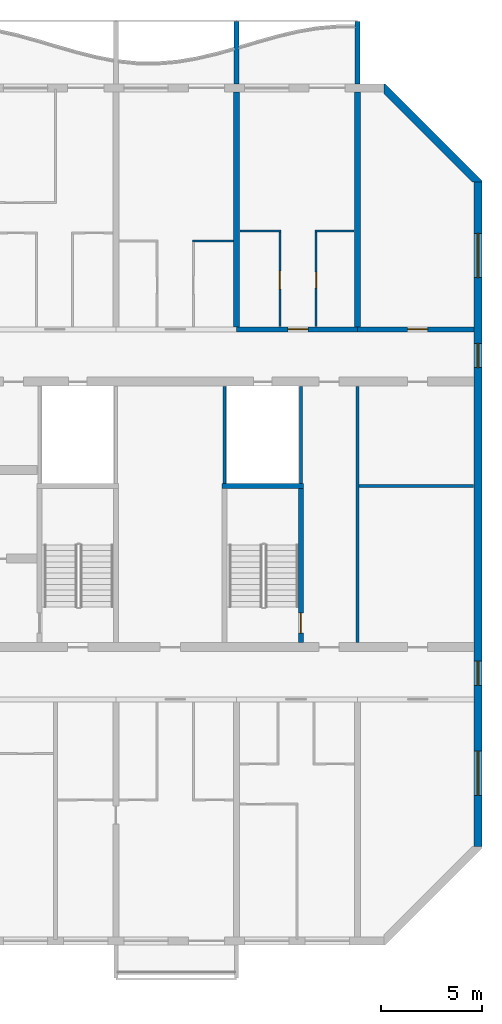
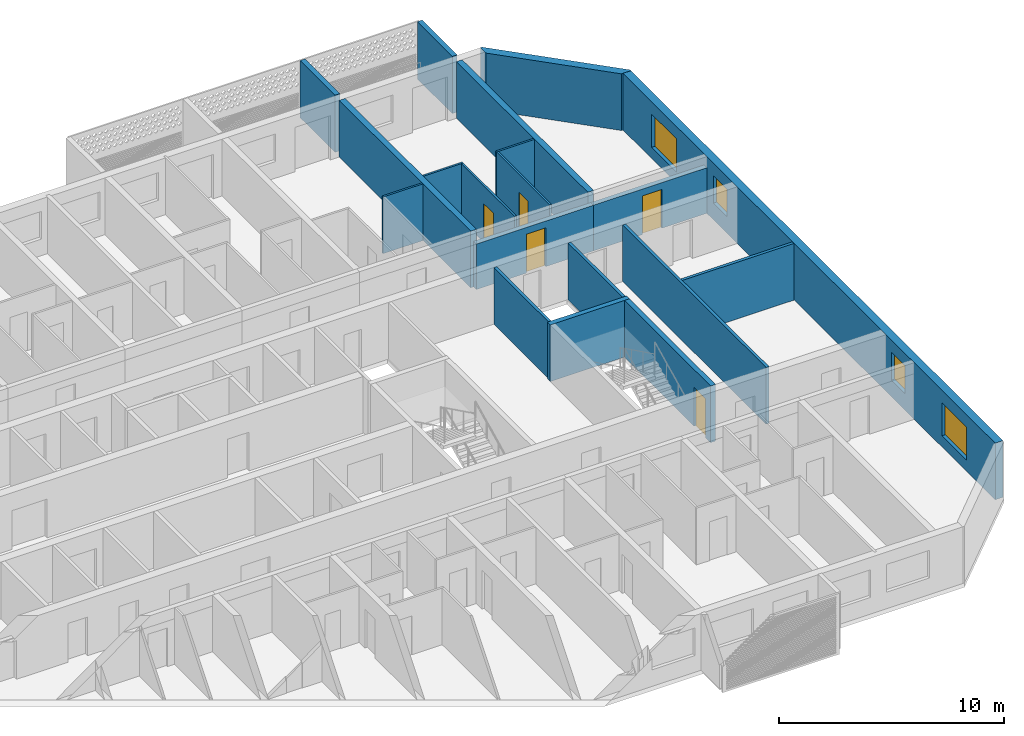
# One storey, part 13 of 33: 19 walls, 5 doors, 4 windows, 9 openings.
"""IFC4 building model written with IfcOpenShell, lengths in metres."""

from ifc_helpers import new_model, si_unit, direction, frame, frame_2d, origin, place, context, subcontext, project, spatial, polyline, rectangle, outline, extrude, source, transform, mapped, material, layer, layer_set, type_object, element, fill, save


model = new_model("IFC4")

# Units and contexts
model_context = context("Model", 3, precision=1e-05, world=origin(), true_north=direction((0.0, 1.0)))
body_context = subcontext(model_context, "Body", "Model", "MODEL_VIEW")
ifc_project = project(units=[si_unit("LENGTHUNIT", "METRE"), si_unit("AREAUNIT", "SQUARE_METRE"), si_unit("VOLUMEUNIT", "CUBIC_METRE"), si_unit("PLANEANGLEUNIT", "RADIAN"), si_unit("MASSUNIT", "GRAM", prefix="KILO")], contexts=[model_context])

# Site, building, storey
site_placement = place(None, origin())
site = spatial("IfcSite", under=ifc_project, at=site_placement, CompositionType="ELEMENT")
building_placement = place(site_placement, origin())
building = spatial("IfcBuilding", under=site, at=building_placement, Name="Poui Terraces", CompositionType="ELEMENT")
storey_placement = place(building_placement, frame((0.0, 0.0, 138.89990234375)))
storey = spatial("IfcBuildingStorey", under=building, at=storey_placement, Name="L38", CompositionType="ELEMENT", Elevation=138.89990234375)

# Wall
ifc_material_1 = material(Name="Fire-rated plasterboard wall")
ifc_layer_1 = layer(ifc_material_1, 0.14990234375)
ifc_layer_set_1 = layer_set([ifc_layer_1], Name="Fire-rated plasterboard wall")
wall_type_1 = type_object("IfcWallType", Name="CORRIDOR WALL 150", PredefinedType="PARTITIONING", material=ifc_layer_set_1)
wall_1_placement = place(storey_placement, frame((84.0, 14.8349609375, 0.0), z_axis=(0.0, 0.0, 1.0), x_axis=(0.0, 1.0, 0.0)))
element("IfcWall", 1, at=wall_1_placement, inside=storey, type_object=wall_type_1, Name="CORRIDOR WALL 150", PredefinedType="PARTITIONING", context=body_context, shape_type="SweptSolid", body=[
    extrude(rectangle(XDim=12.72998046875, YDim=0.14990234375, at=frame_2d((6.364990234375, 0.0))), origin(), (0.0, 0.0, 1.0), 3.070068359375),
])

# Wall, opening, door
ifc_material_2 = material(Name="Concrete 65 MPa", Category="concrete")
ifc_layer_2 = layer(ifc_material_2, 0.25)
ifc_layer_set_2 = layer_set([ifc_layer_2], Name="Concrete 65 MPa")
wall_type_2 = type_object("IfcWallType", Name="CORRIDOR WALL 250 65MPa", PredefinedType="SHEAR", material=ifc_layer_set_2)
wall_2_placement = place(storey_placement, frame((78.0, 30.39990234375, 0.0), z_axis=(0.0, 0.0, 1.0), x_axis=(1.0, 0.0, 0.0)))
wall_2 = element("IfcWall", 2, at=wall_2_placement, inside=storey, type_object=wall_type_2, Name="CORRIDOR WALL LINE E BAY 12", PredefinedType="SHEAR", context=body_context, shape_type="SweptSolid", body=[
    extrude(rectangle(XDim=6.0, YDim=0.25, at=frame_2d((3.0, 0.0))), origin(), (0.0, 0.0, 1.0), 2.47021484375),
])
opening_1_placement = place(wall_2_placement, frame((2.550048828125, 0.0, 0.0)))
opening_1 = element("IfcOpeningElement", 3, at=opening_1_placement, cuts=wall_2, Name="Opening FD30S", PredefinedType="OPENING", context=body_context, shape_type="SweptSolid", body=[
    extrude(rectangle(XDim=1.0, YDim=2.10009765625, at=frame_2d((0.5, 1.050048828125))), frame((0.0, 0.135009765625, 0.0), z_axis=(0.0, -1.0, 0.0), x_axis=(1.0, 0.0, 0.0)), (0.0, 0.0, 1.0), 0.27001953125),
])
ifc_material_3 = material(Name="Steel fire door", Category="steel")
door_type_1 = type_object("IfcDoorType", Name="FLAT ENTRANCE DOOR 1000 X 2100", OperationType="NOTDEFINED", PredefinedType="DOOR", material=ifc_material_3)
door_1_placement = place(opening_1_placement, origin())
door_1 = element("IfcDoor", 4, at=door_1_placement, inside=storey, type_object=door_type_1, Name="FLAT ENTRANCE DOOR 071", OperationType="SINGLE_SWING_RIGHT", OverallHeight=2.10009765625, OverallWidth=1.0, PredefinedType="DOOR", context=body_context, shape_type="SweptSolid", body=[
    extrude(rectangle(XDim=1.0, YDim=2.10009765625, at=frame_2d((0.5, 1.050048828125))), frame((0.0, 0.02490234375, 0.0), z_axis=(0.0, -1.0, 0.0), x_axis=(1.0, 0.0, 0.0)), (0.0, 0.0, 1.0), 0.050048828125),
])
fill(opening_1, door_1)

wall_3_placement = place(storey_placement, frame((84.0, 30.39990234375, 0.0), z_axis=(0.0, 0.0, 1.0), x_axis=(1.0, 0.0, 0.0)))
wall_3 = element("IfcWall", 5, at=wall_3_placement, inside=storey, type_object=wall_type_2, Name="CORRIDOR WALL LINE E BAY 13", PredefinedType="SHEAR", context=body_context, shape_type="SweptSolid", body=[
    extrude(rectangle(XDim=5.800048828125, YDim=0.25, at=frame_2d((2.89990234375, 0.0))), origin(), (0.0, 0.0, 1.0), 2.47021484375),
])
opening_2_placement = place(wall_3_placement, frame((2.5, 0.0, 0.0)))
opening_2 = element("IfcOpeningElement", 6, at=opening_2_placement, cuts=wall_3, Name="Opening D100", PredefinedType="OPENING", context=body_context, shape_type="SweptSolid", body=[
    extrude(rectangle(XDim=1.0, YDim=2.10009765625, at=frame_2d((0.5, 1.050048828125))), frame((0.0, 0.135009765625, 0.0), z_axis=(0.0, -1.0, 0.0), x_axis=(1.0, 0.0, 0.0)), (0.0, 0.0, 1.0), 0.27001953125),
])
ifc_material_4 = material(Name="Solid core timber door", Category="wood")
door_type_2 = type_object("IfcDoorType", Name="ACCESSIBLE INTERNAL DOOR 1000 X 2100", OperationType="NOTDEFINED", PredefinedType="DOOR", material=ifc_material_4)
door_2_placement = place(opening_2_placement, origin())
door_2 = element("IfcDoor", 7, at=door_2_placement, inside=storey, type_object=door_type_2, Name="ACCESSIBLE INTERNAL DOOR 073", OperationType="SINGLE_SWING_LEFT", OverallHeight=2.10009765625, OverallWidth=1.0, PredefinedType="DOOR", context=body_context, shape_type="SweptSolid", body=[
    extrude(rectangle(XDim=1.0, YDim=2.10009765625, at=frame_2d((0.5, 1.050048828125))), frame((0.0, 0.02490234375, 0.0), z_axis=(0.0, -1.0, 0.0), x_axis=(1.0, 0.0, 0.0)), (0.0, 0.0, 1.0), 0.050048828125),
])
fill(opening_2, door_2)

# Walls
ifc_layer_3 = layer(ifc_material_2, 0.300048828125)
ifc_layer_set_3 = layer_set([ifc_layer_3], Name="Concrete 65 MPa")
wall_type_3 = type_object("IfcWallType", Name="CROSS WALL 300 65MPa", PredefinedType="SHEAR", material=ifc_layer_set_3)
for number, where, z_axis, x_axis, name in (
    (8, (78.0, 30.52490234375, 0.0), (0.0, 0.0, 1.0), (0.0, 1.0, 0.0), "CROSS WALL LINE 14 NORTH"),
    (9, (84.0, 30.52490234375, 0.0), (0.0, 0.0, 1.0), (0.0, 1.0, 0.0), "CROSS WALL LINE 15 NORTH"),
):
    element("IfcWall", number, at=place(storey_placement, frame(where, z_axis=z_axis, x_axis=x_axis)), inside=storey, type_object=wall_type_3, Name=name, PredefinedType="SHEAR", context=body_context, shape_type="SweptSolid", body=[
        extrude(rectangle(XDim=11.675048828125, YDim=0.300048828125, at=frame_2d((5.83740234375, 0.0))), origin(), (0.0, 0.0, 1.0), 3.070068359375),
    ])

# Wall, openings, windows
ifc_layer_4 = layer(ifc_material_2, 0.39990234375)
ifc_layer_set_4 = layer_set([ifc_layer_4], Name="Concrete 65 MPa")
wall_type_4 = type_object("IfcWallType", Name="END WALL 400 65MPa", PredefinedType="SHEAR", material=ifc_layer_set_4)
wall_4_placement = place(storey_placement, frame((90.0, 4.682861328125, 0.0), z_axis=(0.0, 0.0, 1.0), x_axis=(0.0, 1.0, 0.0)))
wall_4 = element("IfcWall", 10, at=wall_4_placement, inside=storey, type_object=wall_type_4, Name="END WALL EAST", PredefinedType="SHEAR", context=body_context, shape_type="SweptSolid", body=[
    extrude(rectangle(XDim=33.034423828125, YDim=0.39990234375, at=frame_2d((16.51708984375, 0.0))), origin(), (0.0, 0.0, 1.0), 3.070068359375),
])
opening_3_placement = place(wall_4_placement, frame((23.817138671875, 0.0, 0.89990234375)))
opening_3 = element("IfcOpeningElement", 11, at=opening_3_placement, cuts=wall_4, Name="Opening W2", PredefinedType="OPENING", context=body_context, shape_type="SweptSolid", body=[
    extrude(rectangle(XDim=1.199951171875, YDim=1.5, at=frame_2d((0.60009765625, 0.75))), frame((0.0, 0.2099609375, 0.0), z_axis=(0.0, -1.0, 0.0), x_axis=(1.0, 0.0, 0.0)), (0.0, 0.0, 1.0), 0.419921875),
])
opening_4_placement = place(wall_4_placement, frame((8.01708984375, 0.0, 0.89990234375)))
opening_4 = element("IfcOpeningElement", 12, at=opening_4_placement, cuts=wall_4, Name="Opening W2", PredefinedType="OPENING", context=body_context, shape_type="SweptSolid", body=[
    extrude(rectangle(XDim=1.199951171875, YDim=1.5, at=frame_2d((0.60009765625, 0.75))), frame((0.0, 0.2099609375, 0.0), z_axis=(0.0, -1.0, 0.0), x_axis=(1.0, 0.0, 0.0)), (0.0, 0.0, 1.0), 0.419921875),
])
opening_5_placement = place(wall_4_placement, frame((28.29345703125, 0.0, 0.60009765625)))
opening_5 = element("IfcOpeningElement", 13, at=opening_5_placement, cuts=wall_4, Name="Opening W3", PredefinedType="OPENING", context=body_context, shape_type="SweptSolid", body=[
    extrude(rectangle(XDim=2.199951171875, YDim=1.800048828125, at=frame_2d((1.10009765625, 0.89990234375))), frame((0.0, 0.2099609375, 0.0), z_axis=(0.0, -1.0, 0.0), x_axis=(1.0, 0.0, 0.0)), (0.0, 0.0, 1.0), 0.419921875),
])
opening_6_placement = place(wall_4_placement, frame((2.541015625, 0.0, 0.60009765625)))
opening_6 = element("IfcOpeningElement", 14, at=opening_6_placement, cuts=wall_4, Name="Opening W3", PredefinedType="OPENING", context=body_context, shape_type="SweptSolid", body=[
    extrude(rectangle(XDim=2.199951171875, YDim=1.800048828125, at=frame_2d((1.10009765625, 0.89990234375))), frame((0.0, 0.2099609375, 0.0), z_axis=(0.0, -1.0, 0.0), x_axis=(1.0, 0.0, 0.0)), (0.0, 0.0, 1.0), 0.419921875),
])
ifc_material_5 = material(Name="Clear glass in aluminium frame", Category="aluminium")
window_type_1 = type_object("IfcWindowType", Name="WINDOW 1200X1500", PartitioningType="SINGLE_PANEL", PredefinedType="WINDOW", material=ifc_material_5)
window_1_placement = place(opening_3_placement, origin())
window_1 = element("IfcWindow", 15, at=window_1_placement, inside=storey, type_object=window_type_1, Name="W2 WINDOW", OverallHeight=1.5, OverallWidth=1.199951171875, PartitioningType="SINGLE_PANEL", PredefinedType="WINDOW", context=body_context, shape_type="SweptSolid", body=[
    extrude(rectangle(XDim=1.199951171875, YDim=1.5, at=frame_2d((0.60009765625, 0.75))), frame((0.0, 0.030029296875, 0.0), z_axis=(0.0, -1.0, 0.0), x_axis=(1.0, 0.0, 0.0)), (0.0, 0.0, 1.0), 0.06005859375),
])
fill(opening_3, window_1)
window_2_placement = place(opening_4_placement, origin())
window_2 = element("IfcWindow", 16, at=window_2_placement, inside=storey, type_object=window_type_1, Name="W2 WINDOW", OverallHeight=1.5, OverallWidth=1.199951171875, PartitioningType="SINGLE_PANEL", PredefinedType="WINDOW", context=body_context, shape_type="SweptSolid", body=[
    extrude(rectangle(XDim=1.199951171875, YDim=1.5, at=frame_2d((0.60009765625, 0.75))), frame((0.0, 0.030029296875, 0.0), z_axis=(0.0, -1.0, 0.0), x_axis=(1.0, 0.0, 0.0)), (0.0, 0.0, 1.0), 0.06005859375),
])
fill(opening_4, window_2)
window_type_2 = type_object("IfcWindowType", Name="WINDOW 2200X1800", PartitioningType="DOUBLE_PANEL_HORIZONTAL", PredefinedType="WINDOW", material=ifc_material_5)
window_3_placement = place(opening_5_placement, origin())
window_3 = element("IfcWindow", 17, at=window_3_placement, inside=storey, type_object=window_type_2, Name="W3 WINDOW", OverallHeight=1.800048828125, OverallWidth=2.199951171875, PartitioningType="DOUBLE_PANEL_HORIZONTAL", PredefinedType="WINDOW", context=body_context, shape_type="SweptSolid", body=[
    extrude(rectangle(XDim=2.199951171875, YDim=1.800048828125, at=frame_2d((1.10009765625, 0.89990234375))), frame((0.0, 0.030029296875, 0.0), z_axis=(0.0, -1.0, 0.0), x_axis=(1.0, 0.0, 0.0)), (0.0, 0.0, 1.0), 0.06005859375),
])
fill(opening_5, window_3)
window_4_placement = place(opening_6_placement, origin())
window_4 = element("IfcWindow", 18, at=window_4_placement, inside=storey, type_object=window_type_2, Name="W3 WINDOW", OverallHeight=1.800048828125, OverallWidth=2.199951171875, PartitioningType="DOUBLE_PANEL_HORIZONTAL", PredefinedType="WINDOW", context=body_context, shape_type="SweptSolid", body=[
    extrude(rectangle(XDim=2.199951171875, YDim=1.800048828125, at=frame_2d((1.10009765625, 0.89990234375))), frame((0.0, 0.030029296875, 0.0), z_axis=(0.0, -1.0, 0.0), x_axis=(1.0, 0.0, 0.0)), (0.0, 0.0, 1.0), 0.06005859375),
])
fill(opening_6, window_4)

# Walls
ifc_material_6 = material(Name="Plasterboard partition")
ifc_layer_5 = layer(ifc_material_6, 0.10009765625)
ifc_layer_set_5 = layer_set([ifc_layer_5], Name="Plasterboard partition")
wall_type_5 = type_object("IfcWallType", Name="FLAT PARTITION 100", PredefinedType="PARTITIONING", material=ifc_layer_set_5)
for number, where, z_axis, x_axis, name in (
    (19, (75.800048828125, 34.800048828125, 0.0), (0.0, 0.0, 1.0), (1.0, 0.0, 0.0), "FLAT PARTITION 100"),
    (20, (78.159912109375, 35.300048828125, 0.0), (0.0, 0.0, 1.0), (1.0, 0.0, 0.0), "FLAT PARTITION 100"),
):
    element("IfcWall", number, at=place(storey_placement, frame(where, z_axis=z_axis, x_axis=x_axis)), inside=storey, type_object=wall_type_5, Name=name, PredefinedType="PARTITIONING", context=body_context, shape_type="SweptSolid", body=[
        extrude(rectangle(XDim=2.0400390625, YDim=0.10009765625, at=frame_2d((1.02001953125, 0.0))), origin(), (0.0, 0.0, 1.0), 3.070068359375),
    ])
wall_5_placement = place(storey_placement, frame((81.89990234375, 35.300048828125, 0.0), z_axis=(0.0, 0.0, 1.0), x_axis=(1.0, 0.0, 0.0)))
element("IfcWall", 21, at=wall_5_placement, inside=storey, type_object=wall_type_5, Name="FLAT PARTITION 100", PredefinedType="PARTITIONING", context=body_context, shape_type="SweptSolid", body=[
    extrude(rectangle(XDim=1.940185546875, YDim=0.10009765625, at=frame_2d((0.97021484375, 0.0))), origin(), (0.0, 0.0, 1.0), 3.070068359375),
])

# Wall, opening, door
wall_6_placement = place(storey_placement, frame((80.14990234375, 30.534912109375, 0.0), z_axis=(0.0, 0.0, 1.0), x_axis=(0.0, 1.0, 0.0)))
wall_6 = element("IfcWall", 22, at=wall_6_placement, inside=storey, type_object=wall_type_5, Name="FLAT PARTITION 100", PredefinedType="PARTITIONING", context=body_context, shape_type="SweptSolid", body=[
    extrude(rectangle(XDim=4.715087890625, YDim=0.10009765625, at=frame_2d((2.357421875, 0.0))), origin(), (0.0, 0.0, 1.0), 3.070068359375),
])
opening_7_placement = place(wall_6_placement, frame((1.864990234375, 0.0, 0.0)))
opening_7 = element("IfcOpeningElement", 23, at=opening_7_placement, cuts=wall_6, Name="Opening D90", PredefinedType="OPENING", context=body_context, shape_type="SweptSolid", body=[
    extrude(rectangle(XDim=0.89990234375, YDim=2.10009765625, at=frame_2d((0.449951171875, 1.050048828125))), frame((0.0, 0.06005859375, 0.0), z_axis=(0.0, -1.0, 0.0), x_axis=(1.0, 0.0, 0.0)), (0.0, 0.0, 1.0), 0.1201171875),
])
door_type_3 = type_object("IfcDoorType", Name="INTERNAL DOOR 900 X 2100", OperationType="NOTDEFINED", PredefinedType="DOOR", material=ifc_material_4)
door_3_placement = place(opening_7_placement, origin())
door_3 = element("IfcDoor", 24, at=door_3_placement, inside=storey, type_object=door_type_3, Name="INTERNAL DOOR 070", OperationType="SINGLE_SWING_RIGHT", OverallHeight=2.10009765625, OverallWidth=0.89990234375, PredefinedType="DOOR", context=body_context, shape_type="SweptSolid", body=[
    extrude(rectangle(XDim=0.89990234375, YDim=2.10009765625, at=frame_2d((0.449951171875, 1.050048828125))), frame((0.0, 0.02490234375, 0.0), z_axis=(0.0, -1.0, 0.0), x_axis=(1.0, 0.0, 0.0)), (0.0, 0.0, 1.0), 0.050048828125),
])
fill(opening_7, door_3)

wall_7_placement = place(storey_placement, frame((81.949951171875, 30.534912109375, 0.0), z_axis=(0.0, 0.0, 1.0), x_axis=(0.0, 1.0, 0.0)))
wall_7 = element("IfcWall", 25, at=wall_7_placement, inside=storey, type_object=wall_type_5, Name="FLAT PARTITION 100", PredefinedType="PARTITIONING", context=body_context, shape_type="SweptSolid", body=[
    extrude(rectangle(XDim=4.715087890625, YDim=0.10009765625, at=frame_2d((2.357421875, 0.0))), origin(), (0.0, 0.0, 1.0), 3.070068359375),
])
opening_8_placement = place(wall_7_placement, frame((1.9150390625, 0.0, 0.0)))
opening_8 = element("IfcOpeningElement", 26, at=opening_8_placement, cuts=wall_7, Name="Opening D80", PredefinedType="OPENING", context=body_context, shape_type="SweptSolid", body=[
    extrude(rectangle(XDim=0.800048828125, YDim=2.10009765625, at=frame_2d((0.39990234375, 1.050048828125))), frame((0.0, 0.06005859375, 0.0), z_axis=(0.0, -1.0, 0.0), x_axis=(1.0, 0.0, 0.0)), (0.0, 0.0, 1.0), 0.1201171875),
])
door_type_4 = type_object("IfcDoorType", Name="BATHROOM, LAUNDRY AND STORE DOOR 800 X 2100", OperationType="NOTDEFINED", PredefinedType="DOOR", material=ifc_material_4)
door_4_placement = place(opening_8_placement, frame((0.800048828125, 0.0, 0.0), z_axis=(0.0, 0.0, 1.0), x_axis=(-1.0, 0.0, 0.0)))
door_4 = element("IfcDoor", 27, at=door_4_placement, inside=storey, type_object=door_type_4, Name="BATHROOM, LAUNDRY AND STORE DOOR 072", OperationType="SINGLE_SWING_RIGHT", OverallHeight=2.10009765625, OverallWidth=0.800048828125, PredefinedType="DOOR", context=body_context, shape_type="SweptSolid", body=[
    extrude(rectangle(XDim=0.800048828125, YDim=2.10009765625, at=frame_2d((0.39990234375, 1.050048828125))), frame((0.0, 0.02490234375, 0.0), z_axis=(0.0, -1.0, 0.0), x_axis=(1.0, 0.0, 0.0)), (0.0, 0.0, 1.0), 0.050048828125),
])
fill(opening_8, door_4)

# Walls
ifc_layer_6 = layer(ifc_material_6, 0.14990234375)
ifc_layer_set_6 = layer_set([ifc_layer_6], Name="Plasterboard partition")
wall_type_6 = type_object("IfcWallType", Name="PARTITION WALL 150", PredefinedType="PARTITIONING", material=ifc_layer_set_6)
wall_8_placement = place(storey_placement, frame((84.074951171875, 22.60009765625, 0.0), z_axis=(0.0, 0.0, 1.0), x_axis=(1.0, 0.0, 0.0)))
element("IfcWall", 28, at=wall_8_placement, inside=storey, type_object=wall_type_6, Name="PARTITION WALL 150", PredefinedType="PARTITIONING", context=body_context, shape_type="SweptSolid", body=[
    extrude(rectangle(XDim=5.715087890625, YDim=0.14990234375, at=frame_2d((2.857421875, 0.0))), origin(), (0.0, 0.0, 1.0), 3.070068359375),
])
ifc_material_7 = material(Name="Fire-rated plasterboard riser wall")
ifc_layer_7 = layer(ifc_material_7, 0.14990234375)
ifc_layer_set_7 = layer_set([ifc_layer_7], Name="Fire-rated plasterboard riser wall")
wall_type_7 = type_object("IfcWallType", Name="RISER WALL 150", PredefinedType="PARTITIONING", material=ifc_layer_set_7)
for number, where, z_axis, x_axis, name in (
    (29, (77.39990234375, 22.735107421875, 0.0), (0.0, 0.0, 1.0), (0.0, 1.0, 0.0), "RISER WALL 150"),
    (30, (81.199951171875, 22.735107421875, 0.0), (0.0, 0.0, 1.0), (0.0, 1.0, 0.0), "RISER WALL 150"),
):
    element("IfcWall", number, at=place(storey_placement, frame(where, z_axis=z_axis, x_axis=x_axis)), inside=storey, type_object=wall_type_7, Name=name, PredefinedType="PARTITIONING", context=body_context, shape_type="SweptSolid", body=[
        extrude(rectangle(XDim=4.829833984375, YDim=0.14990234375, at=frame_2d((2.4150390625, 0.0))), origin(), (0.0, 0.0, 1.0), 3.070068359375),
    ])

# Wall, opening, door
ifc_layer_8 = layer(ifc_material_2, 0.25)
ifc_layer_set_8 = layer_set([ifc_layer_8], Name="Concrete 65 MPa")
wall_type_8 = type_object("IfcWallType", Name="STAIR CORE WALL 250 65 MPA", PredefinedType="SOLIDWALL", material=ifc_layer_set_8)
wall_9_placement = place(storey_placement, frame((81.199951171875, 14.824951171875, 0.0), z_axis=(0.0, 0.0, 1.0), x_axis=(0.0, 1.0, 0.0)))
wall_9 = element("IfcWall", 31, at=wall_9_placement, inside=storey, type_object=wall_type_8, Name="STAIR CORE WALL", PredefinedType="SOLIDWALL", context=body_context, shape_type="SweptSolid", body=[
    extrude(rectangle(XDim=7.650146484375, YDim=0.25, at=frame_2d((3.8251953125, 0.0))), origin(), (0.0, 0.0, 1.0), 3.070068359375),
])
opening_9_placement = place(wall_9_placement, frame((0.47509765625, 0.0, 0.0)))
opening_9 = element("IfcOpeningElement", 32, at=opening_9_placement, cuts=wall_9, Name="Opening FD60S", PredefinedType="OPENING", context=body_context, shape_type="SweptSolid", body=[
    extrude(rectangle(XDim=1.0, YDim=2.10009765625, at=frame_2d((0.5, 1.050048828125))), frame((0.0, 0.135009765625, 0.0), z_axis=(0.0, -1.0, 0.0), x_axis=(1.0, 0.0, 0.0)), (0.0, 0.0, 1.0), 0.27001953125),
])
door_type_5 = type_object("IfcDoorType", Name="STAIR DOOR 1000 X 2100", OperationType="NOTDEFINED", PredefinedType="DOOR", material=ifc_material_3)
door_5_placement = place(opening_9_placement, origin())
door_5 = element("IfcDoor", 33, at=door_5_placement, inside=storey, type_object=door_type_5, Name="STAIR DOOR 132", OperationType="SINGLE_SWING_LEFT", OverallHeight=2.10009765625, OverallWidth=1.0, PredefinedType="DOOR", context=body_context, shape_type="SweptSolid", body=[
    extrude(rectangle(XDim=1.0, YDim=2.10009765625, at=frame_2d((0.5, 1.050048828125))), frame((0.0, 0.02490234375, 0.0), z_axis=(0.0, -1.0, 0.0), x_axis=(1.0, 0.0, 0.0)), (0.0, 0.0, 1.0), 0.050048828125),
])
fill(opening_9, door_5)

# Walls
wall_10_placement = place(storey_placement, frame((77.27490234375, 22.60009765625, 0.0), z_axis=(0.0, 0.0, 1.0), x_axis=(1.0, 0.0, 0.0)))
element("IfcWall", 34, at=wall_10_placement, inside=storey, type_object=wall_type_8, Name="STAIR CORE WALL", PredefinedType="SOLIDWALL", context=body_context, shape_type="SweptSolid", body=[
    extrude(rectangle(XDim=4.050048828125, YDim=0.25, at=frame_2d((2.02490234375, 0.0))), origin(), (0.0, 0.0, 1.0), 3.070068359375),
])
ifc_material_8 = material(Name="Precast concrete 40 MPa", Category="concrete")
ifc_layer_9 = layer(ifc_material_8, 0.39990234375)
ifc_layer_set_9 = layer_set([ifc_layer_9], Name="Precast concrete 40 MPa")
wall_type_9 = type_object("IfcWallType", Name="TERRACOTTA CLAD CHAMFER WALL 400", PredefinedType="STANDARD", material=ifc_layer_set_9)
wall_11_placement = place(storey_placement, origin())
element("IfcWall", 35, at=wall_11_placement, inside=storey, type_object=wall_type_9, Name="CHAMFER WALL CH03", PredefinedType="STANDARD", context=body_context, shape_type="SweptSolid", body=[
    extrude(outline(polyline([(90.199951171875, 37.71728515625), (90.199951171875, 37.800048828125), (85.39990234375, 42.60009765625), (85.317138671875, 42.60009765625), (85.317138671875, 42.1171875), (89.71728515625, 37.71728515625), (90.199951171875, 37.71728515625)])), origin(), (0.0, 0.0, 1.0), 3.070068359375),
])
ifc_layer_10 = layer(ifc_material_8, 0.25)
ifc_layer_set_10 = layer_set([ifc_layer_10], Name="Precast concrete 40 MPa")
wall_type_10 = type_object("IfcWallType", Name="BALCONY FIN 250", PredefinedType="STANDARD", material=ifc_layer_set_10)
shared_shape = source(origin(), body_context, "Body", "SweptSolid", [
    extrude(outline(polyline([(0.0, 0.0), (0.25, 0.0), (0.25, 3.099853515625), (0.0, 3.099853515625), (0.0, 0.0)])), origin(), (0.0, 0.0, 1.0), 3.10009765625),
])
for number, where, name in (
    (36, (77.875, 42.60009765625, 0.0), "BALCONY FIN"),
    (37, (83.875, 42.60009765625, 0.0), "BALCONY FIN"),
):
    element("IfcWall", number, at=place(storey_placement, frame(where)), inside=storey, type_object=wall_type_10, Name=name, PredefinedType="STANDARD", context=body_context, shape_type="MappedRepresentation", body=[
        mapped(shared_shape, transform((0.0, 0.0, 0.0))),
    ])

save(model, "model.ifc")
